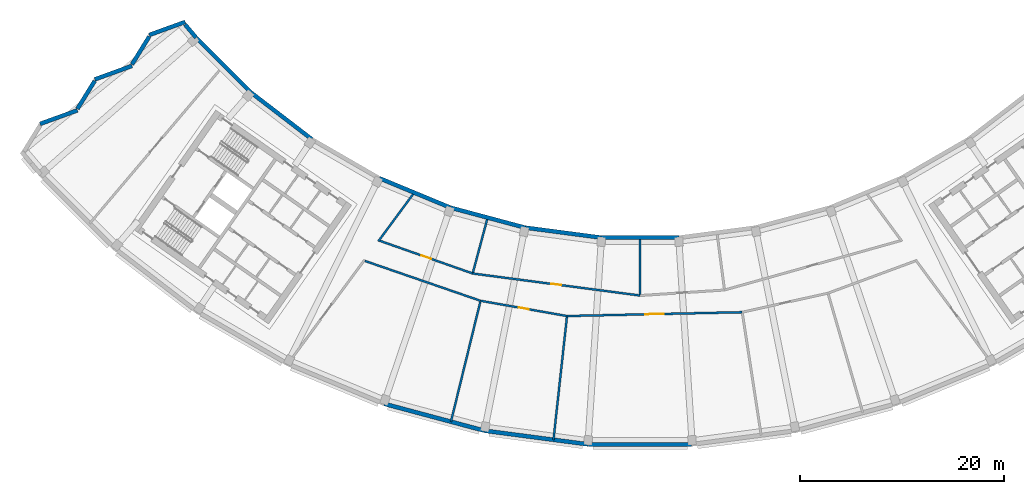
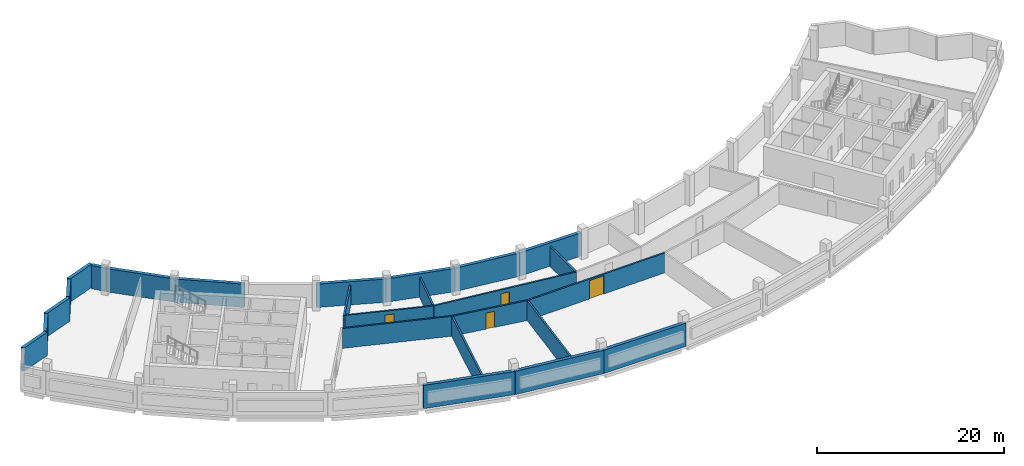
# One storey, part 4 of 11: 25 walls, 4 doors, 4 openings.
"""IFC4 building model written with IfcOpenShell, lengths in metres."""

from ifc_helpers import new_model, si_unit, direction, frame, frame_2d, origin, place, context, subcontext, project, spatial, rectangle, extrude, material, layer, layer_set, type_object, element, fill, save


model = new_model("IFC4")

# Units and contexts
model_context = context("Model", 3, precision=1e-05, world=origin(), true_north=direction((0.0, 1.0)))
body_context = subcontext(model_context, "Body", "Model", "MODEL_VIEW")
ifc_project = project(units=[si_unit("LENGTHUNIT", "METRE"), si_unit("AREAUNIT", "SQUARE_METRE"), si_unit("VOLUMEUNIT", "CUBIC_METRE"), si_unit("PLANEANGLEUNIT", "RADIAN"), si_unit("MASSUNIT", "GRAM", prefix="KILO")], contexts=[model_context])

# Site, building, storey
site_placement = place(None, origin())
site = spatial("IfcSite", under=ifc_project, at=site_placement, CompositionType="ELEMENT")
building_placement = place(site_placement, origin())
building = spatial("IfcBuilding", under=site, at=building_placement, Name="Qamariyya Broadcast Tower", CompositionType="ELEMENT")
storey_placement = place(building_placement, frame((0.0, 0.0, 302.699951171875)))
storey = spatial("IfcBuildingStorey", under=building, at=storey_placement, Name="L73", CompositionType="ELEMENT", Elevation=302.699951171875)

# Wall
ifc_material_1 = material(Name="Masonry block wall", Category="masonry")
ifc_layer_1 = layer(ifc_material_1, 0.199951171875)
ifc_layer_set_1 = layer_set([ifc_layer_1], Name="Plant room wall 200 EI 120")
wall_type_1 = type_object("IfcWallType", Name="Plant room wall 200 EI 120", PredefinedType="PARTITIONING", material=ifc_layer_set_1)
wall_1_placement = place(storey_placement, frame((-26.962890625, -60.011962890625, 0.0), z_axis=(0.0, 0.0, 1.0), x_axis=(0.945432745442, -0.325817316676, 0.0)))
element("IfcWall", 1, at=wall_1_placement, inside=storey, type_object=wall_type_1, Name="Partition L73-003", PredefinedType="PARTITIONING", context=body_context, shape_type="SweptSolid", body=[
    extrude(rectangle(XDim=11.978515625, YDim=0.199951171875, at=frame_2d((5.9892578125, 0.0))), origin(), (0.0, 0.0, 1.0), 2.60009765625),
])

# Wall, opening, door
wall_2_placement = place(storey_placement, frame((-25.50390625, -58.035888671875, 0.0), z_axis=(0.0, 0.0, 1.0), x_axis=(0.943186956549, -0.332262494116, 0.0)))
wall_2 = element("IfcWall", 2, at=wall_2_placement, inside=storey, type_object=wall_type_1, Name="Partition L73-004", PredefinedType="PARTITIONING", context=body_context, shape_type="SweptSolid", body=[
    extrude(rectangle(XDim=9.642578125, YDim=0.199951171875, at=frame_2d((4.8212890625, 0.0))), origin(), (0.0, 0.0, 1.0), 2.60009765625),
])
opening_1_placement = place(wall_2_placement, frame((4.3212890625, 0.0, 0.0)))
opening_1 = element("IfcOpeningElement", 3, at=opening_1_placement, cuts=wall_2, Name="Opening L73-D06", PredefinedType="OPENING", context=body_context, shape_type="SweptSolid", body=[
    extrude(rectangle(XDim=1.0, YDim=2.10009765625, at=frame_2d((0.5, 1.050048828125))), frame((0.0, 0.10986328125, 0.0), z_axis=(0.0, -1.0, 0.0), x_axis=(1.0, 0.0, 0.0)), (0.0, 0.0, 1.0), 0.219970703125),
])
ifc_material_2 = material(Name="Insulated metal door leaf")
door_type_1 = type_object("IfcDoorType", Name="Plant door 1000 x 2100 FD120", OperationType="NOTDEFINED", PredefinedType="DOOR", material=ifc_material_2)
door_1_placement = place(opening_1_placement, origin())
door_1 = element("IfcDoor", 4, at=door_1_placement, inside=storey, type_object=door_type_1, Name="Door L73-D06", OperationType="SINGLE_SWING_RIGHT", OverallHeight=2.10009765625, OverallWidth=1.0, PredefinedType="DOOR", context=body_context, shape_type="SweptSolid", body=[
    extrude(rectangle(XDim=1.0, YDim=2.10009765625, at=frame_2d((0.5, 1.050048828125))), frame((0.0, 0.02490234375, 0.0), z_axis=(0.0, -1.0, 0.0), x_axis=(1.0, 0.0, 0.0)), (0.0, 0.0, 1.0), 0.050048828125),
])
fill(opening_1, door_1)

# Walls
wall_3_placement = place(storey_placement, frame((-22.251953125, -53.469482421875, 0.0), z_axis=(0.0, 0.0, 1.0), x_axis=(-0.593885763016, -0.804549377283, 0.0)))
element("IfcWall", 5, at=wall_3_placement, inside=storey, type_object=wall_type_1, Name="Partition L73-005", PredefinedType="PARTITIONING", context=body_context, shape_type="SweptSolid", body=[
    extrude(rectangle(XDim=5.734375, YDim=0.199951171875, at=frame_2d((2.8671875, 0.0))), origin(), (0.0, 0.0, 1.0), 2.60009765625),
])
wall_4_placement = place(storey_placement, frame((-18.53759765625, -75.76611328125, 0.0), z_axis=(0.0, 0.0, 1.0), x_axis=(0.23766673197, 0.971346758122, 0.0)))
element("IfcWall", 6, at=wall_4_placement, inside=storey, type_object=wall_type_1, Name="Partition L73-006", PredefinedType="PARTITIONING", context=body_context, shape_type="SweptSolid", body=[
    extrude(rectangle(XDim=12.100830078125, YDim=0.199951171875, at=frame_2d((6.05029296875, 0.0))), origin(), (0.0, 0.0, 1.0), 2.60009765625),
])

# Wall, opening, door
wall_5_placement = place(storey_placement, frame((-16.4091796875, -61.23974609375, 0.0), z_axis=(0.0, 0.0, 1.0), x_axis=(0.991446059502, -0.130517091211, 0.0)))
wall_5 = element("IfcWall", 7, at=wall_5_placement, inside=storey, type_object=wall_type_1, Name="Partition L73-007", PredefinedType="PARTITIONING", context=body_context, shape_type="SweptSolid", body=[
    extrude(rectangle(XDim=16.55078125, YDim=0.199951171875, at=frame_2d((8.275390625, 0.0))), origin(), (0.0, 0.0, 1.0), 2.60009765625),
])
opening_2_placement = place(wall_5_placement, frame((7.775390625, 0.0, 0.0)))
opening_2 = element("IfcOpeningElement", 8, at=opening_2_placement, cuts=wall_5, Name="Opening L73-D07", PredefinedType="OPENING", context=body_context, shape_type="SweptSolid", body=[
    extrude(rectangle(XDim=1.0, YDim=2.10009765625, at=frame_2d((0.5, 1.050048828125))), frame((0.0, 0.10986328125, 0.0), z_axis=(0.0, -1.0, 0.0), x_axis=(1.0, 0.0, 0.0)), (0.0, 0.0, 1.0), 0.219970703125),
])
door_2_placement = place(opening_2_placement, origin())
door_2 = element("IfcDoor", 9, at=door_2_placement, inside=storey, type_object=door_type_1, Name="Door L73-D07", OperationType="SINGLE_SWING_RIGHT", OverallHeight=2.10009765625, OverallWidth=1.0, PredefinedType="DOOR", context=body_context, shape_type="SweptSolid", body=[
    extrude(rectangle(XDim=1.0, YDim=2.10009765625, at=frame_2d((0.5, 1.050048828125))), frame((0.0, 0.02490234375, 0.0), z_axis=(0.0, -1.0, 0.0), x_axis=(1.0, 0.0, 0.0)), (0.0, 0.0, 1.0), 0.050048828125),
])
fill(opening_2, door_2)

wall_6_placement = place(storey_placement, frame((-7.16162109375, -65.4091796875, 0.0), z_axis=(0.0, 0.0, 1.0), x_axis=(-0.984812101115, 0.173623516545, 0.0)))
wall_6 = element("IfcWall", 10, at=wall_6_placement, inside=storey, type_object=wall_type_1, Name="Partition L73-008", PredefinedType="PARTITIONING", context=body_context, shape_type="SweptSolid", body=[
    extrude(rectangle(XDim=8.60693359375, YDim=0.199951171875, at=frame_2d((4.303466796875, 0.0))), origin(), (0.0, 0.0, 1.0), 2.60009765625),
])
opening_3_placement = place(wall_6_placement, frame((3.803466796875, 0.0, 0.0)))
opening_3 = element("IfcOpeningElement", 11, at=opening_3_placement, cuts=wall_6, Name="Opening L73-D02", PredefinedType="OPENING", context=body_context, shape_type="SweptSolid", body=[
    extrude(rectangle(XDim=1.0, YDim=2.10009765625, at=frame_2d((0.5, 1.050048828125))), frame((0.0, 0.10986328125, 0.0), z_axis=(0.0, -1.0, 0.0), x_axis=(1.0, 0.0, 0.0)), (0.0, 0.0, 1.0), 0.219970703125),
])
door_3_placement = place(opening_3_placement, origin())
door_3 = element("IfcDoor", 12, at=door_3_placement, inside=storey, type_object=door_type_1, Name="Door L73-D02", OperationType="SINGLE_SWING_RIGHT", OverallHeight=2.10009765625, OverallWidth=1.0, PredefinedType="DOOR", context=body_context, shape_type="SweptSolid", body=[
    extrude(rectangle(XDim=1.0, YDim=2.10009765625, at=frame_2d((0.5, 1.050048828125))), frame((0.0, 0.02490234375, 0.0), z_axis=(0.0, -1.0, 0.0), x_axis=(1.0, 0.0, 0.0)), (0.0, 0.0, 1.0), 0.050048828125),
])
fill(opening_3, door_3)

# Walls
wall_7_placement = place(storey_placement, frame((-14.992431640625, -55.952880859375, 0.0), z_axis=(0.0, 0.0, 1.0), x_axis=(-0.258847367931, -0.965918236765, 0.0)))
element("IfcWall", 13, at=wall_7_placement, inside=storey, type_object=wall_type_1, Name="Partition L73-009", PredefinedType="PARTITIONING", context=body_context, shape_type="SweptSolid", body=[
    extrude(rectangle(XDim=5.373291015625, YDim=0.199951171875, at=frame_2d((2.6865234375, 0.0))), origin(), (0.0, 0.0, 1.0), 2.60009765625),
])
wall_8_placement = place(storey_placement, frame((-8.489501953125, -77.53759765625, 0.0), z_axis=(0.0, 0.0, 1.0), x_axis=(0.108825963582, 0.994060817883, 0.0)))
element("IfcWall", 14, at=wall_8_placement, inside=storey, type_object=wall_type_1, Name="Partition L73-010", PredefinedType="PARTITIONING", context=body_context, shape_type="SweptSolid", body=[
    extrude(rectangle(XDim=12.100830078125, YDim=0.199951171875, at=frame_2d((6.05029296875, 0.0))), origin(), (0.0, 0.0, 1.0), 2.60009765625),
])

# Wall, opening, door
wall_9_placement = place(storey_placement, frame((10.011474609375, -65.033935546875, 0.0), z_axis=(0.0, 0.0, 1.0), x_axis=(-0.999761358934, -0.021845484265, 0.0)))
wall_9 = element("IfcWall", 15, at=wall_9_placement, inside=storey, type_object=wall_type_1, Name="Partition L73-011", PredefinedType="PARTITIONING", context=body_context, shape_type="SweptSolid", body=[
    extrude(rectangle(XDim=17.17724609375, YDim=0.199951171875, at=frame_2d((8.588623046875, 0.0))), origin(), (0.0, 0.0, 1.0), 2.60009765625),
])
opening_4_placement = place(wall_9_placement, frame((7.688720703125, 0.0, 0.0)))
opening_4 = element("IfcOpeningElement", 16, at=opening_4_placement, cuts=wall_9, Name="Opening L73-D03", PredefinedType="OPENING", context=body_context, shape_type="SweptSolid", body=[
    extrude(rectangle(XDim=1.800048828125, YDim=2.39990234375, at=frame_2d((0.89990234375, 1.199951171875))), frame((0.0, 0.10986328125, 0.0), z_axis=(0.0, -1.0, 0.0), x_axis=(1.0, 0.0, 0.0)), (0.0, 0.0, 1.0), 0.219970703125),
])
door_type_2 = type_object("IfcDoorType", Name="Plant double door 1800 x 2400 FD120", OperationType="NOTDEFINED", PredefinedType="DOOR", material=ifc_material_2)
door_4_placement = place(opening_4_placement, origin())
door_4 = element("IfcDoor", 17, at=door_4_placement, inside=storey, type_object=door_type_2, Name="Door L73-D03", OperationType="DOUBLE_DOOR_SINGLE_SWING", OverallHeight=2.39990234375, OverallWidth=1.800048828125, PredefinedType="DOOR", context=body_context, shape_type="SweptSolid", body=[
    extrude(rectangle(XDim=1.800048828125, YDim=2.39990234375, at=frame_2d((0.89990234375, 1.199951171875))), frame((0.0, 0.02490234375, 0.0), z_axis=(0.0, -1.0, 0.0), x_axis=(1.0, 0.0, 0.0)), (0.0, 0.0, 1.0), 0.050048828125),
])
fill(opening_4, door_4)

# Walls
wall_10_placement = place(storey_placement, frame((0.0, -57.926513671875, 0.0), z_axis=(0.0, 0.0, 1.0), x_axis=(0.0, -1.0, 0.0)))
element("IfcWall", 18, at=wall_10_placement, inside=storey, type_object=wall_type_1, Name="Partition L73-013", PredefinedType="PARTITIONING", context=body_context, shape_type="SweptSolid", body=[
    extrude(rectangle(XDim=5.37353515625, YDim=0.199951171875, at=frame_2d((2.686767578125, 0.0))), origin(), (0.0, 0.0, 1.0), 2.60009765625),
])
ifc_material_3 = material(Name="Terracotta", Category="masonry")
ifc_layer_2 = layer(ifc_material_3, 0.39990234375)
ifc_layer_set_2 = layer_set([ifc_layer_2], Name="Solid terracotta louvred band wall 400")
wall_type_2 = type_object("IfcWallType", Name="Solid terracotta louvred band wall 400", PredefinedType="SOLIDWALL", material=ifc_layer_set_2)
wall_11_placement = place(storey_placement, frame((-44.58642578125, -36.581787109375, 0.0), z_axis=(0.0, 0.0, 1.0), x_axis=(-0.940130056589, -0.340815898541, 0.0)))
element("IfcWall", 19, at=wall_11_placement, inside=storey, type_object=wall_type_2, Name="e-wl-L73-capW0", PredefinedType="SOLIDWALL", context=body_context, shape_type="SweptSolid", body=[
    extrude(rectangle(XDim=3.742919921875, YDim=0.39990234375, at=frame_2d((1.87158203125, 0.0))), origin(), (0.0, 0.0, 1.0), 3.050048828125),
])
wall_12_placement = place(storey_placement, frame((-48.104248046875, -38.00341796875, 0.0), z_axis=(0.0, 0.0, 1.0), x_axis=(-0.525678481137, -0.850683333838, 0.0)))
element("IfcWall", 20, at=wall_12_placement, inside=storey, type_object=wall_type_2, Name="e-wl-L73-capW1", PredefinedType="SOLIDWALL", context=body_context, shape_type="SweptSolid", body=[
    extrude(rectangle(XDim=3.220458984375, YDim=0.39990234375, at=frame_2d((1.6103515625, 0.0))), origin(), (0.0, 0.0, 1.0), 3.050048828125),
])
wall_13_placement = place(storey_placement, frame((-49.79638671875, -40.888916015625, 0.0), z_axis=(0.0, 0.0, 1.0), x_axis=(-0.940086069154, -0.340937212083, 0.0)))
element("IfcWall", 21, at=wall_13_placement, inside=storey, type_object=wall_type_2, Name="e-wl-L73-capW2", PredefinedType="SOLIDWALL", context=body_context, shape_type="SweptSolid", body=[
    extrude(rectangle(XDim=3.892578125, YDim=0.39990234375, at=frame_2d((1.9462890625, 0.0))), origin(), (0.0, 0.0, 1.0), 3.050048828125),
])
wall_14_placement = place(storey_placement, frame((-53.454833984375, -42.362060546875, 0.0), z_axis=(0.0, 0.0, 1.0), x_axis=(-0.525649491409, -0.850701247314, 0.0)))
element("IfcWall", 22, at=wall_14_placement, inside=storey, type_object=wall_type_2, Name="e-wl-L73-capW3", PredefinedType="SOLIDWALL", context=body_context, shape_type="SweptSolid", body=[
    extrude(rectangle(XDim=3.21923828125, YDim=0.39990234375, at=frame_2d((1.609619140625, 0.0))), origin(), (0.0, 0.0, 1.0), 3.050048828125),
])
wall_15_placement = place(storey_placement, frame((-55.14599609375, -45.24658203125, 0.0), z_axis=(0.0, 0.0, 1.0), x_axis=(-0.940075029039, -0.340967652099, 0.0)))
element("IfcWall", 23, at=wall_15_placement, inside=storey, type_object=wall_type_2, Name="e-wl-L73-capW4", PredefinedType="SOLIDWALL", context=body_context, shape_type="SweptSolid", body=[
    extrude(rectangle(XDim=3.893798828125, YDim=0.39990234375, at=frame_2d((1.94677734375, 0.0))), origin(), (0.0, 0.0, 1.0), 3.050048828125),
])
wall_16_placement = place(storey_placement, frame((-43.51123046875, -38.122802734375, 0.0), z_axis=(0.0, 0.0, 1.0), x_axis=(-0.645545650865, 0.763721685334, 0.0)))
element("IfcWall", 24, at=wall_16_placement, inside=storey, type_object=wall_type_2, Name="e-wl-L73-in00", PredefinedType="SOLIDWALL", context=body_context, shape_type="SweptSolid", body=[
    extrude(rectangle(XDim=1.68359375, YDim=0.39990234375, at=frame_2d((0.841796875, 0.0))), origin(), (0.0, 0.0, 1.0), 3.050048828125),
])
wall_17_placement = place(storey_placement, frame((-38.125732421875, -43.511962890625, 0.0), z_axis=(0.0, 0.0, 1.0), x_axis=(-0.707106781187, 0.707106781187, 0.0)))
element("IfcWall", 25, at=wall_17_placement, inside=storey, type_object=wall_type_2, Name="e-wl-L73-in10", PredefinedType="SOLIDWALL", context=body_context, shape_type="SweptSolid", body=[
    extrude(rectangle(XDim=7.6025390625, YDim=0.39990234375, at=frame_2d((3.80126953125, 0.0))), origin(), (0.0, 0.0, 1.0), 3.050048828125),
])
for number, where, z_axis, x_axis, name in (
    (26, (-32.18017578125, -48.070068359375, 0.0), (0.0, 0.0, 1.0), (-0.793355236357, 0.608758957999, 0.0), "e-wl-L73-in20"),
    (27, (-18.642333984375, -54.760986328125, 0.0), (0.0, 0.0, 1.0), (-0.923872151004, 0.382701252414, 0.0), "e-wl-L73-in40"),
):
    element("IfcWall", number, at=place(storey_placement, frame(where, z_axis=z_axis, x_axis=x_axis)), inside=storey, type_object=wall_type_2, Name=name, PredefinedType="SOLIDWALL", context=body_context, shape_type="SweptSolid", body=[
        extrude(rectangle(XDim=7.4658203125, YDim=0.39990234375, at=frame_2d((3.73291015625, 0.0))), origin(), (0.0, 0.0, 1.0), 3.050048828125),
    ])
wall_18_placement = place(storey_placement, frame((-11.261962890625, -56.745361328125, 0.0), z_axis=(0.0, 0.0, 1.0), x_axis=(-0.965927307138, 0.258813518437, 0.0)))
element("IfcWall", 28, at=wall_18_placement, inside=storey, type_object=wall_type_2, Name="e-wl-L73-in50", PredefinedType="SOLIDWALL", context=body_context, shape_type="SweptSolid", body=[
    extrude(rectangle(XDim=7.6171875, YDim=0.39990234375, at=frame_2d((3.80859375, 0.0))), origin(), (0.0, 0.0, 1.0), 3.050048828125),
])
wall_19_placement = place(storey_placement, frame((-3.833984375, -57.719970703125, 0.0), z_axis=(0.0, 0.0, 1.0), x_axis=(-0.991442493144, 0.130544179452, 0.0)))
element("IfcWall", 29, at=wall_19_placement, inside=storey, type_object=wall_type_2, Name="e-wl-L73-in60", PredefinedType="SOLIDWALL", context=body_context, shape_type="SweptSolid", body=[
    extrude(rectangle(XDim=7.4658203125, YDim=0.39990234375, at=frame_2d((3.73291015625, 0.0))), origin(), (0.0, 0.0, 1.0), 3.050048828125),
])
wall_20_placement = place(storey_placement, frame((3.80859375, -57.7265625, 0.0), z_axis=(0.0, 0.0, 1.0), x_axis=(-1.0, 0.0, 0.0)))
element("IfcWall", 30, at=wall_20_placement, inside=storey, type_object=wall_type_2, Name="e-wl-L73-in70", PredefinedType="SOLIDWALL", context=body_context, shape_type="SweptSolid", body=[
    extrude(rectangle(XDim=7.6171875, YDim=0.39990234375, at=frame_2d((3.80859375, 0.0))), origin(), (0.0, 0.0, 1.0), 3.050048828125),
])
wall_21_placement = place(storey_placement, frame((-25.0712890625, -74.015380859375, 0.0), z_axis=(0.0, 0.0, 1.0), x_axis=(0.965928778267, -0.258808027921, 0.0)))
element("IfcWall", 31, at=wall_21_placement, inside=storey, type_object=wall_type_2, Name="e-wl-L73-out50", PredefinedType="SOLIDWALL", context=body_context, shape_type="SweptSolid", body=[
    extrude(rectangle(XDim=10.120849609375, YDim=0.39990234375, at=frame_2d((5.060546875, 0.0))), origin(), (0.0, 0.0, 1.0), 3.050048828125),
])
wall_22_placement = place(storey_placement, frame((-15.27099609375, -76.644775390625, 0.0), z_axis=(0.0, 0.0, 1.0), x_axis=(0.991444909321, -0.130525828027, 0.0)))
element("IfcWall", 32, at=wall_22_placement, inside=storey, type_object=wall_type_2, Name="e-wl-L73-out60", PredefinedType="SOLIDWALL", context=body_context, shape_type="SweptSolid", body=[
    extrude(rectangle(XDim=10.2724609375, YDim=0.39990234375, at=frame_2d((5.13623046875, 0.0))), origin(), (0.0, 0.0, 1.0), 3.050048828125),
])
wall_23_placement = place(storey_placement, frame((-5.060546875, -77.982177734375, 0.0), z_axis=(0.0, 0.0, 1.0), x_axis=(1.0, 0.0, 0.0)))
element("IfcWall", 33, at=wall_23_placement, inside=storey, type_object=wall_type_2, Name="e-wl-L73-out70", PredefinedType="SOLIDWALL", context=body_context, shape_type="SweptSolid", body=[
    extrude(rectangle(XDim=10.12109375, YDim=0.39990234375, at=frame_2d((5.060546875, 0.0))), origin(), (0.0, 0.0, 1.0), 3.050048828125),
])

save(model, "model.ifc")
